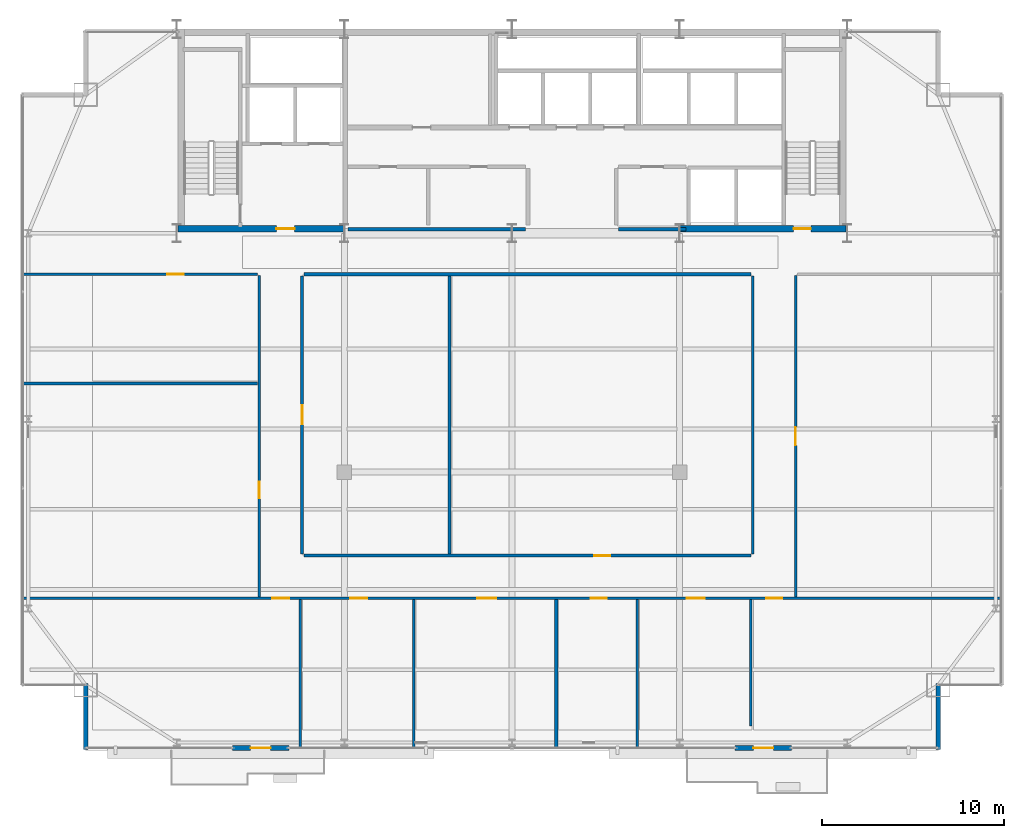
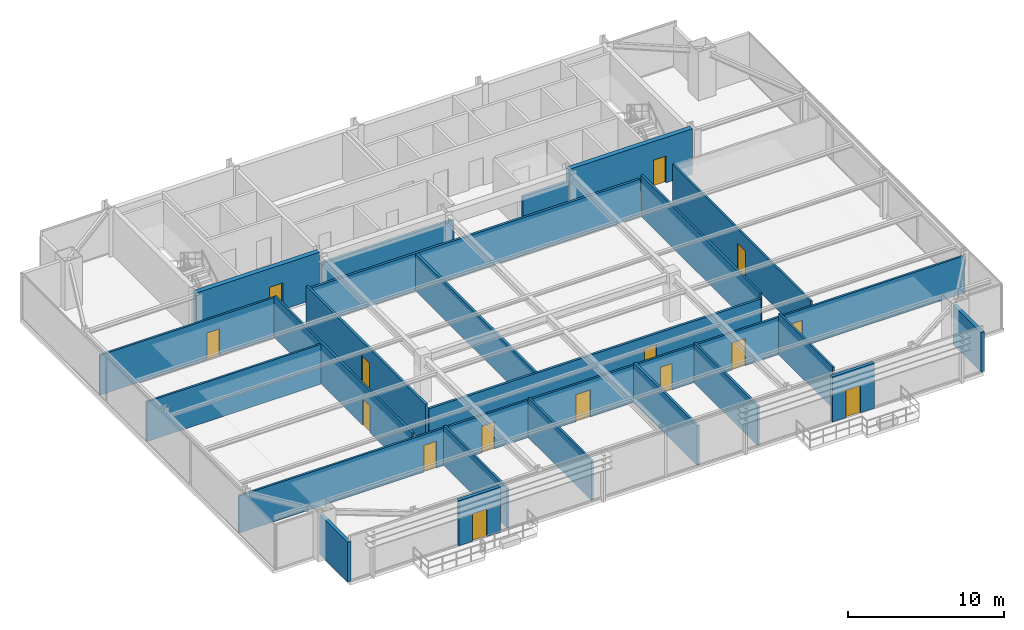
# One storey, part 26 of 30: 23 walls, 15 doors, 15 openings.
"""IFC4 building model written with IfcOpenShell, lengths in metres."""

from ifc_helpers import new_model, si_unit, direction, frame, frame_2d, origin, place, context, subcontext, project, spatial, rectangle, extrude, source, transform, mapped, material, layer, layer_set, type_object, type_shapes, element, fill, save


model = new_model("IFC4")

# Units and contexts
model_context = context("Model", 3, precision=1e-05, world=origin(), true_north=direction((0.0, 1.0)))
body_context = subcontext(model_context, "Body", "Model", "MODEL_VIEW")
ifc_project = project(units=[si_unit("LENGTHUNIT", "METRE"), si_unit("AREAUNIT", "SQUARE_METRE"), si_unit("VOLUMEUNIT", "CUBIC_METRE"), si_unit("PLANEANGLEUNIT", "RADIAN"), si_unit("MASSUNIT", "GRAM", prefix="KILO")], contexts=[model_context])

# Site, building, storey
site_placement = place(None, origin())
site = spatial("IfcSite", under=ifc_project, at=site_placement, CompositionType="ELEMENT")
building_placement = place(site_placement, origin())
building = spatial("IfcBuilding", under=site, at=building_placement, Name="Varnel Quay Broadcast Tower", CompositionType="ELEMENT")
storey_placement = place(building_placement, frame((0.0, 0.0, 168.60009765625)))
storey = spatial("IfcBuildingStorey", under=building, at=storey_placement, Name="L41", CompositionType="ELEMENT", Elevation=168.60009765625)

# Wall, opening, door
ifc_material_1 = material(Name="Concrete CSA A23.3 C50/60", Category="concrete")
ifc_layer_1 = layer(ifc_material_1, 0.35009765625, Name="Concrete CSA A23.3 C50/60")
ifc_layer_set_1 = layer_set([ifc_layer_1], Name="Concrete CSA A23.3 C50/60")
wall_type_1 = type_object("IfcWallType", Name="Wall_CoreShearInt350", PredefinedType="SHEAR", material=ifc_layer_set_1)
wall_1_placement = place(storey_placement, frame((15.669921875, 35.844970703125, 0.0), z_axis=(0.0, 0.0, 1.0), x_axis=(1.0, 0.0, 0.0)))
wall_1 = element("IfcWall", 1, at=wall_1_placement, inside=storey, type_object=wall_type_1, Name="L41 South-West Core Shear Wall", PredefinedType="SHEAR", context=body_context, shape_type="SweptSolid", body=[
    extrude(rectangle(XDim=9.130126953125, YDim=0.35009765625, at=frame_2d((4.56494140625, 0.0))), origin(), (0.0, 0.0, 1.0), 3.5498046875),
])
opening_1_placement = place(wall_1_placement, frame((5.39990234375, 0.0, 0.0)))
opening_1 = element("IfcOpeningElement", 2, at=opening_1_placement, cuts=wall_1, Name="Opening D-L41-FFL", PredefinedType="OPENING", context=body_context, shape_type="SweptSolid", body=[
    extrude(rectangle(XDim=1.0, YDim=2.10009765625, at=frame_2d((0.5, 1.050048828125))), frame((0.0, 0.18505859375, 0.0), z_axis=(0.0, -1.0, 0.0), x_axis=(1.0, 0.0, 0.0)), (0.0, 0.0, 1.0), 0.3701171875),
])
ifc_material_2 = material(Name="Insulated Fire-Rated Hollow Steel Door", Category="steel")
door_type_1 = type_object("IfcDoorType", Name="Door_FireLobby1000", OperationType="NOTDEFINED", PredefinedType="DOOR", material=ifc_material_2)
shared_shape_1 = source(origin(), body_context, "Body", "SweptSolid", [
    extrude(rectangle(XDim=1.0, YDim=2.10009765625, at=frame_2d((0.5, 1.050048828125))), frame((0.0, 0.02490234375, 0.0), z_axis=(0.0, -1.0, 0.0), x_axis=(1.0, 0.0, 0.0)), (0.0, 0.0, 1.0), 0.050048828125),
])
type_shapes(door_type_1, [shared_shape_1])
door_1_placement = place(opening_1_placement, origin())
door_1 = element("IfcDoor", 3, at=door_1_placement, inside=storey, type_object=door_type_1, Name="L41 Firefighting Lobby Door", OperationType="SINGLE_SWING_LEFT", OverallHeight=2.10009765625, OverallWidth=1.0, PredefinedType="DOOR", context=body_context, shape_type="MappedRepresentation", body=[
    mapped(shared_shape_1, transform((0.0, 0.0, 0.0), x_axis=(1.0, 0.0, 0.0), y_axis=(0.0, 1.0, 0.0), z_axis=(0.0, 0.0, 1.0), scale=1.0)),
])
fill(opening_1, door_1)

wall_2_placement = place(storey_placement, frame((43.199951171875, 35.844970703125, 0.0), z_axis=(0.0, 0.0, 1.0), x_axis=(1.0, 0.0, 0.0)))
wall_2 = element("IfcWall", 4, at=wall_2_placement, inside=storey, type_object=wall_type_1, Name="L41 South-East Core Shear Wall", PredefinedType="SHEAR", context=body_context, shape_type="SweptSolid", body=[
    extrude(rectangle(XDim=9.130126953125, YDim=0.35009765625, at=frame_2d((4.56494140625, 0.0))), origin(), (0.0, 0.0, 1.0), 3.5498046875),
])
opening_2_placement = place(wall_2_placement, frame((6.25, 0.0, 0.0)))
opening_2 = element("IfcOpeningElement", 5, at=opening_2_placement, cuts=wall_2, Name="Opening D-L41-S2", PredefinedType="OPENING", context=body_context, shape_type="SweptSolid", body=[
    extrude(rectangle(XDim=0.949951171875, YDim=2.10009765625, at=frame_2d((0.47509765625, 1.050048828125))), frame((0.0, 0.18505859375, 0.0), z_axis=(0.0, -1.0, 0.0), x_axis=(1.0, 0.0, 0.0)), (0.0, 0.0, 1.0), 0.3701171875),
])
door_type_2 = type_object("IfcDoorType", Name="Door_FireStair950", OperationType="NOTDEFINED", PredefinedType="DOOR", material=ifc_material_2)
shared_shape_2 = source(origin(), body_context, "Body", "SweptSolid", [
    extrude(rectangle(XDim=0.949951171875, YDim=2.10009765625, at=frame_2d((0.47509765625, 1.050048828125))), frame((0.0, 0.02490234375, 0.0), z_axis=(0.0, -1.0, 0.0), x_axis=(1.0, 0.0, 0.0)), (0.0, 0.0, 1.0), 0.050048828125),
])
type_shapes(door_type_2, [shared_shape_2])
door_2_placement = place(opening_2_placement, origin())
door_2 = element("IfcDoor", 6, at=door_2_placement, inside=storey, type_object=door_type_2, Name="L41 Stair 2 Fire Door", OperationType="SINGLE_SWING_RIGHT", OverallHeight=2.10009765625, OverallWidth=0.949951171875, PredefinedType="DOOR", context=body_context, shape_type="MappedRepresentation", body=[
    mapped(shared_shape_2, transform((0.0, 0.0, 0.0), x_axis=(1.0, 0.0, 0.0), y_axis=(0.0, 1.0, 0.0), z_axis=(0.0, 0.0, 1.0), scale=1.0)),
])
fill(opening_2, door_2)

ifc_material_3 = material(Name="Precast Architectural Concrete C40/50", Category="concrete")
ifc_layer_2 = layer(ifc_material_3, 0.25, Name="Precast Architectural Concrete C40/50")
ifc_layer_set_2 = layer_set([ifc_layer_2], Name="Precast Architectural Concrete C40/50")
wall_type_2 = type_object("IfcWallType", Name="Wall_ExtTerrace250", PredefinedType="SOLIDWALL", material=ifc_layer_set_2)
wall_3_placement = place(storey_placement, frame((18.64990234375, 7.35009765625, 0.0), z_axis=(0.0, 0.0, 1.0), x_axis=(1.0, 0.0, 0.0)))
wall_3 = element("IfcWall", 7, at=wall_3_placement, inside=storey, type_object=wall_type_2, Name="L41 Terrace Access Wall 1", PredefinedType="SOLIDWALL", context=body_context, shape_type="SweptSolid", body=[
    extrude(rectangle(XDim=3.10009765625, YDim=0.25, at=frame_2d((1.550048828125, 0.0))), origin(), (0.0, 0.0, 1.0), 3.52978515625),
])
opening_3_placement = place(wall_3_placement, frame((1.0, 0.0, 0.0)))
opening_3 = element("IfcOpeningElement", 8, at=opening_3_placement, cuts=wall_3, Name="Opening TD-411", PredefinedType="OPENING", context=body_context, shape_type="SweptSolid", body=[
    extrude(rectangle(XDim=1.10009765625, YDim=2.14990234375, at=frame_2d((0.550048828125, 1.074951171875))), frame((0.0, 0.135009765625, 0.0), z_axis=(0.0, -1.0, 0.0), x_axis=(1.0, 0.0, 0.0)), (0.0, 0.0, 1.0), 0.27001953125),
])
ifc_material_4 = material(Name="Anodised Bronze Aluminium 6063-T6", Category="aluminium")
door_type_3 = type_object("IfcDoorType", Name="Door_ExtTerrace1100", OperationType="NOTDEFINED", PredefinedType="DOOR", material=ifc_material_4)
shared_shape_3 = source(origin(), body_context, "Body", "SweptSolid", [
    extrude(rectangle(XDim=1.10009765625, YDim=2.14990234375, at=frame_2d((0.550048828125, 1.074951171875))), frame((0.0, 0.02490234375, 0.0), z_axis=(0.0, -1.0, 0.0), x_axis=(1.0, 0.0, 0.0)), (0.0, 0.0, 1.0), 0.050048828125),
])
type_shapes(door_type_3, [shared_shape_3])
door_3_placement = place(opening_3_placement, frame((1.10009765625, 0.0, 0.0), z_axis=(0.0, 0.0, 1.0), x_axis=(-1.0, 0.0, 0.0)))
door_3 = element("IfcDoor", 9, at=door_3_placement, inside=storey, type_object=door_type_3, Name="L41 Terrace Door TD-411", OperationType="SINGLE_SWING_LEFT", OverallHeight=2.14990234375, OverallWidth=1.10009765625, PredefinedType="DOOR", context=body_context, shape_type="MappedRepresentation", body=[
    mapped(shared_shape_3, transform((0.0, 0.0, 0.0), x_axis=(1.0, 0.0, 0.0), y_axis=(0.0, 1.0, 0.0), z_axis=(0.0, 0.0, 1.0), scale=1.0)),
])
fill(opening_3, door_3)

wall_4_placement = place(storey_placement, frame((46.25, 7.35009765625, 0.0), z_axis=(0.0, 0.0, 1.0), x_axis=(1.0, 0.0, 0.0)))
wall_4 = element("IfcWall", 10, at=wall_4_placement, inside=storey, type_object=wall_type_2, Name="L41 Terrace Access Wall 2", PredefinedType="SOLIDWALL", context=body_context, shape_type="SweptSolid", body=[
    extrude(rectangle(XDim=3.10009765625, YDim=0.25, at=frame_2d((1.550048828125, 0.0))), origin(), (0.0, 0.0, 1.0), 3.52978515625),
])
opening_4_placement = place(wall_4_placement, frame((1.0, 0.0, 0.0)))
opening_4 = element("IfcOpeningElement", 11, at=opening_4_placement, cuts=wall_4, Name="Opening TD-412", PredefinedType="OPENING", context=body_context, shape_type="SweptSolid", body=[
    extrude(rectangle(XDim=1.10009765625, YDim=2.14990234375, at=frame_2d((0.550048828125, 1.074951171875))), frame((0.0, 0.135009765625, 0.0), z_axis=(0.0, -1.0, 0.0), x_axis=(1.0, 0.0, 0.0)), (0.0, 0.0, 1.0), 0.27001953125),
])
door_4_placement = place(opening_4_placement, frame((1.10009765625, 0.0, 0.0), z_axis=(0.0, 0.0, 1.0), x_axis=(-1.0, 0.0, 0.0)))
door_4 = element("IfcDoor", 12, at=door_4_placement, inside=storey, type_object=door_type_3, Name="L41 Terrace Door TD-412", OperationType="SINGLE_SWING_RIGHT", OverallHeight=2.14990234375, OverallWidth=1.10009765625, PredefinedType="DOOR", context=body_context, shape_type="MappedRepresentation", body=[
    mapped(shared_shape_3, transform((0.0, 0.0, 0.0), x_axis=(1.0, 0.0, 0.0), y_axis=(0.0, 1.0, 0.0), z_axis=(0.0, 0.0, 1.0), scale=1.0)),
])
fill(opening_4, door_4)

# Walls
for number, where, z_axis, x_axis, name in (
    (13, (10.60009765625, 7.280029296875, 0.0), (0.0, 0.0, 1.0), (0.0, 1.0, 0.0), "L41 Mega-Column Notch Cladding Wall NSW2"),
    (14, (57.39990234375, 7.280029296875, 0.0), (0.0, 0.0, 1.0), (0.0, 1.0, 0.0), "L41 Mega-Column Notch Cladding Wall NSE2"),
):
    element("IfcWall", number, at=place(storey_placement, frame(where, z_axis=z_axis, x_axis=x_axis)), inside=storey, type_object=wall_type_2, Name=name, PredefinedType="SOLIDWALL", context=body_context, shape_type="SweptSolid", body=[
        extrude(rectangle(XDim=3.599853515625, YDim=0.25, at=frame_2d((1.7998046875, 0.0))), origin(), (0.0, 0.0, 1.0), 3.10791015625),
    ])
ifc_material_5 = material(Name="Concrete Blockwork Fire Enclosure C40/50", Category="masonry")
ifc_layer_3 = layer(ifc_material_5, 0.199951171875, Name="Concrete Blockwork Fire Enclosure C40/50")
ifc_layer_set_3 = layer_set([ifc_layer_3], Name="Concrete Blockwork Fire Enclosure C40/50")
wall_type_3 = type_object("IfcWallType", Name="Wall_FireShaft200", PredefinedType="SOLIDWALL", material=ifc_layer_set_3)
wall_5_placement = place(storey_placement, frame((39.85009765625, 35.824951171875, 0.0), z_axis=(0.0, 0.0, 1.0), x_axis=(1.0, 0.0, 0.0)))
element("IfcWall", 15, at=wall_5_placement, inside=storey, type_object=wall_type_3, Name="L41 Electrical Sub-Distribution Closet Partition 5", PredefinedType="SOLIDWALL", context=body_context, shape_type="SweptSolid", body=[
    extrude(rectangle(XDim=3.699951171875, YDim=0.199951171875, at=frame_2d((1.85009765625, 0.0))), origin(), (0.0, 0.0, 1.0), 2.574951171875),
])
ifc_material_6 = material(Name="Steel-Stud Fire-Rated Acoustic Gypsum Partition Assembly", Category="steel")
ifc_layer_4 = layer(ifc_material_6, 0.139892578125, Name="Steel-Stud Fire-Rated Acoustic Gypsum Partition Assembly")
ifc_layer_set_4 = layer_set([ifc_layer_4], Name="Steel-Stud Fire-Rated Acoustic Gypsum Partition Assembly")
wall_type_4 = type_object("IfcWallType", Name="Wall_Partition140", PredefinedType="PARTITIONING", material=ifc_layer_set_4)
wall_6_placement = place(storey_placement, frame((47.110107421875, 8.550048828125, 0.0), z_axis=(0.0, 0.0, 1.0), x_axis=(0.0, 1.0, 0.0)))
element("IfcWall", 16, at=wall_6_placement, inside=storey, type_object=wall_type_4, Name="L41 Press Green Lounge 5 Partition 13", PredefinedType="PARTITIONING", context=body_context, shape_type="SweptSolid", body=[
    extrude(rectangle(XDim=6.93505859375, YDim=0.139892578125, at=frame_2d((3.467529296875, 0.0))), origin(), (0.0, 0.0, 1.0), 3.221923828125),
])

# Wall, opening, door
wall_7_placement = place(storey_placement, frame((49.56005859375, 15.635009765625, 0.0), z_axis=(0.0, 0.0, 1.0), x_axis=(0.0, 1.0, 0.0)))
wall_7 = element("IfcWall", 17, at=wall_7_placement, inside=storey, type_object=wall_type_4, Name="L41 Press Green Lounge 11 Partition 23", PredefinedType="PARTITIONING", context=body_context, shape_type="SweptSolid", body=[
    extrude(rectangle(XDim=17.64501953125, YDim=0.139892578125, at=frame_2d((8.822509765625, 0.0))), origin(), (0.0, 0.0, 1.0), 3.221923828125),
])
opening_5_placement = place(wall_7_placement, frame((8.320068359375, 0.0, 0.0)))
opening_5 = element("IfcOpeningElement", 18, at=opening_5_placement, cuts=wall_7, Name="Opening D-L41-14", PredefinedType="OPENING", context=body_context, shape_type="SweptSolid", body=[
    extrude(rectangle(XDim=1.0, YDim=2.10009765625, at=frame_2d((0.5, 1.050048828125))), frame((0.0, 0.080078125, 0.0), z_axis=(0.0, -1.0, 0.0), x_axis=(1.0, 0.0, 0.0)), (0.0, 0.0, 1.0), 0.159912109375),
])
ifc_material_7 = material(Name="Solid-Core Fire-Rated Acoustic Oak Veneer Door", Category="wood")
door_type_4 = type_object("IfcDoorType", Name="Door_Exec1000", OperationType="NOTDEFINED", PredefinedType="DOOR", material=ifc_material_7)
shared_shape_4 = source(origin(), body_context, "Body", "SweptSolid", [
    extrude(rectangle(XDim=1.0, YDim=2.10009765625, at=frame_2d((0.5, 1.050048828125))), frame((0.0, 0.02490234375, 0.0), z_axis=(0.0, -1.0, 0.0), x_axis=(1.0, 0.0, 0.0)), (0.0, 0.0, 1.0), 0.050048828125),
])
type_shapes(door_type_4, [shared_shape_4])
door_5_placement = place(opening_5_placement, frame((1.0, 0.0, 0.0), z_axis=(0.0, 0.0, 1.0), x_axis=(-1.0, 0.0, 0.0)))
door_5 = element("IfcDoor", 19, at=door_5_placement, inside=storey, type_object=door_type_4, Name="L41 Press Green Lounge 11 Door D-L41-14", OperationType="SINGLE_SWING_LEFT", OverallHeight=2.10009765625, OverallWidth=1.0, PredefinedType="DOOR", context=body_context, shape_type="MappedRepresentation", body=[
    mapped(shared_shape_4, transform((0.0, 0.0, 0.0), x_axis=(1.0, 0.0, 0.0), y_axis=(0.0, 1.0, 0.0), z_axis=(0.0, 0.0, 1.0), scale=1.0)),
])
fill(opening_5, door_5)

# Wall
ifc_layer_5 = layer(ifc_material_6, 0.14990234375, Name="Steel-Stud Fire-Rated Acoustic Gypsum Partition Assembly")
ifc_layer_set_5 = layer_set([ifc_layer_5], Name="Steel-Stud Fire-Rated Acoustic Gypsum Partition Assembly")
wall_type_5 = type_object("IfcWallType", Name="Wall_Partition150", PredefinedType="PARTITIONING", material=ifc_layer_set_5)
wall_8_placement = place(storey_placement, frame((22.3798828125, 7.3798828125, 0.0), z_axis=(0.0, 0.0, 1.0), x_axis=(0.0, 1.0, 0.0)))
element("IfcWall", 20, at=wall_8_placement, inside=storey, type_object=wall_type_5, Name="L41 Broadcast Newsroom 1 Partition 8", PredefinedType="PARTITIONING", context=body_context, shape_type="SweptSolid", body=[
    extrude(rectangle(XDim=8.105224609375, YDim=0.14990234375, at=frame_2d((4.052734375, 0.0))), origin(), (0.0, 0.0, 1.0), 3.10791015625),
])

# Wall, openings, doors
wall_9_placement = place(storey_placement, frame((7.179931640625, 15.56005859375, 0.0), z_axis=(0.0, 0.0, 1.0), x_axis=(1.0, 0.0, 0.0)))
wall_9 = element("IfcWall", 21, at=wall_9_placement, inside=storey, type_object=wall_type_5, Name="L41 Broadcast Newsroom 1 Partition 9", PredefinedType="PARTITIONING", context=body_context, shape_type="SweptSolid", body=[
    extrude(rectangle(XDim=53.64013671875, YDim=0.14990234375, at=frame_2d((26.820068359375, 0.0))), origin(), (0.0, 0.0, 1.0), 2.908935546875),
])
opening_6_placement = place(wall_9_placement, frame((13.6650390625, 0.0, 0.0)))
opening_6 = element("IfcOpeningElement", 22, at=opening_6_placement, cuts=wall_9, Name="Opening D-L41-04", PredefinedType="OPENING", context=body_context, shape_type="SweptSolid", body=[
    extrude(rectangle(XDim=0.919921875, YDim=2.080078125, at=frame_2d((0.4599609375, 1.0400390625))), frame((0.0, 0.0849609375, 0.0), z_axis=(0.0, -1.0, 0.0), x_axis=(1.0, 0.0, 0.0)), (0.0, 0.0, 1.0), 0.169921875),
])
opening_7_placement = place(wall_9_placement, frame((17.955078125, 0.0, 0.0)))
opening_7 = element("IfcOpeningElement", 23, at=opening_7_placement, cuts=wall_9, Name="Opening D-L41-05", PredefinedType="OPENING", context=body_context, shape_type="SweptSolid", body=[
    extrude(rectangle(XDim=0.919921875, YDim=2.080078125, at=frame_2d((0.4599609375, 1.0400390625))), frame((0.0, 0.0849609375, 0.0), z_axis=(0.0, -1.0, 0.0), x_axis=(1.0, 0.0, 0.0)), (0.0, 0.0, 1.0), 0.169921875),
])
opening_8_placement = place(wall_9_placement, frame((24.9150390625, 0.0, 0.0)))
opening_8 = element("IfcOpeningElement", 24, at=opening_8_placement, cuts=wall_9, Name="Opening D-L41-06", PredefinedType="OPENING", context=body_context, shape_type="SweptSolid", body=[
    extrude(rectangle(XDim=1.050048828125, YDim=2.10009765625, at=frame_2d((0.52490234375, 1.050048828125))), frame((0.0, 0.0849609375, 0.0), z_axis=(0.0, -1.0, 0.0), x_axis=(1.0, 0.0, 0.0)), (0.0, 0.0, 1.0), 0.169921875),
])
opening_9_placement = place(wall_9_placement, frame((31.1298828125, 0.0, 0.0)))
opening_9 = element("IfcOpeningElement", 25, at=opening_9_placement, cuts=wall_9, Name="Opening D-L41-07", PredefinedType="OPENING", context=body_context, shape_type="SweptSolid", body=[
    extrude(rectangle(XDim=0.8798828125, YDim=2.06005859375, at=frame_2d((0.43994140625, 1.030029296875))), frame((0.0, 0.0849609375, 0.0), z_axis=(0.0, -1.0, 0.0), x_axis=(1.0, 0.0, 0.0)), (0.0, 0.0, 1.0), 0.169921875),
])
opening_10_placement = place(wall_9_placement, frame((36.409912109375, 0.0, 0.0)))
opening_10 = element("IfcOpeningElement", 26, at=opening_10_placement, cuts=wall_9, Name="Opening D-L41-08", PredefinedType="OPENING", context=body_context, shape_type="SweptSolid", body=[
    extrude(rectangle(XDim=1.0, YDim=2.10009765625, at=frame_2d((0.5, 1.050048828125))), frame((0.0, 0.0849609375, 0.0), z_axis=(0.0, -1.0, 0.0), x_axis=(1.0, 0.0, 0.0)), (0.0, 0.0, 1.0), 0.169921875),
])
opening_11_placement = place(wall_9_placement, frame((40.764892578125, 0.0, 0.0)))
opening_11 = element("IfcOpeningElement", 27, at=opening_11_placement, cuts=wall_9, Name="Opening D-L41-09", PredefinedType="OPENING", context=body_context, shape_type="SweptSolid", body=[
    extrude(rectangle(XDim=0.8798828125, YDim=2.06005859375, at=frame_2d((0.43994140625, 1.030029296875))), frame((0.0, 0.0849609375, 0.0), z_axis=(0.0, -1.0, 0.0), x_axis=(1.0, 0.0, 0.0)), (0.0, 0.0, 1.0), 0.169921875),
])
door_type_5 = type_object("IfcDoorType", Name="Door_Booth880", OperationType="NOTDEFINED", PredefinedType="DOOR", material=ifc_material_7)
shared_shape_5 = source(origin(), body_context, "Body", "SweptSolid", [
    extrude(rectangle(XDim=0.8798828125, YDim=2.06005859375, at=frame_2d((0.43994140625, 1.030029296875))), frame((0.0, 0.02490234375, 0.0), z_axis=(0.0, -1.0, 0.0), x_axis=(1.0, 0.0, 0.0)), (0.0, 0.0, 1.0), 0.050048828125),
])
type_shapes(door_type_5, [shared_shape_5])
door_6_placement = place(opening_9_placement, frame((0.8798828125, 0.0, 0.0), z_axis=(0.0, 0.0, 1.0), x_axis=(-1.0, 0.0, 0.0)))
door_6 = element("IfcDoor", 28, at=door_6_placement, inside=storey, type_object=door_type_5, Name="L41 Break Kitchen 4 Door D-L41-07", OperationType="SINGLE_SWING_RIGHT", OverallHeight=2.06005859375, OverallWidth=0.8798828125, PredefinedType="DOOR", context=body_context, shape_type="MappedRepresentation", body=[
    mapped(shared_shape_5, transform((0.0, 0.0, 0.0), x_axis=(1.0, 0.0, 0.0), y_axis=(0.0, 1.0, 0.0), z_axis=(0.0, 0.0, 1.0), scale=1.0)),
])
fill(opening_9, door_6)
door_7_placement = place(opening_11_placement, frame((0.8798828125, 0.0, 0.0), z_axis=(0.0, 0.0, 1.0), x_axis=(-1.0, 0.0, 0.0)))
door_7 = element("IfcDoor", 29, at=door_7_placement, inside=storey, type_object=door_type_5, Name="L41 Camera Locker Store 6 Door D-L41-09", OperationType="SINGLE_SWING_RIGHT", OverallHeight=2.06005859375, OverallWidth=0.8798828125, PredefinedType="DOOR", context=body_context, shape_type="MappedRepresentation", body=[
    mapped(shared_shape_5, transform((0.0, 0.0, 0.0), x_axis=(1.0, 0.0, 0.0), y_axis=(0.0, 1.0, 0.0), z_axis=(0.0, 0.0, 1.0), scale=1.0)),
])
fill(opening_11, door_7)
door_type_6 = type_object("IfcDoorType", Name="Door_Office920", OperationType="NOTDEFINED", PredefinedType="DOOR", material=ifc_material_7)
shared_shape_6 = source(origin(), body_context, "Body", "SweptSolid", [
    extrude(rectangle(XDim=0.919921875, YDim=2.080078125, at=frame_2d((0.4599609375, 1.0400390625))), frame((0.0, 0.02490234375, 0.0), z_axis=(0.0, -1.0, 0.0), x_axis=(1.0, 0.0, 0.0)), (0.0, 0.0, 1.0), 0.050048828125),
])
type_shapes(door_type_6, [shared_shape_6])
door_8_placement = place(opening_6_placement, frame((0.919921875, 0.0, 0.0), z_axis=(0.0, 0.0, 1.0), x_axis=(-1.0, 0.0, 0.0)))
door_8 = element("IfcDoor", 30, at=door_8_placement, inside=storey, type_object=door_type_6, Name="L41 Broadcast Newsroom 1 Door D-L41-04", OperationType="SINGLE_SWING_LEFT", OverallHeight=2.080078125, OverallWidth=0.919921875, PredefinedType="DOOR", context=body_context, shape_type="MappedRepresentation", body=[
    mapped(shared_shape_6, transform((0.0, 0.0, 0.0), x_axis=(1.0, 0.0, 0.0), y_axis=(0.0, 1.0, 0.0), z_axis=(0.0, 0.0, 1.0), scale=1.0)),
])
fill(opening_6, door_8)
door_9_placement = place(opening_7_placement, frame((0.919921875, 0.0, 0.0), z_axis=(0.0, 0.0, 1.0), x_axis=(-1.0, 0.0, 0.0)))
door_9 = element("IfcDoor", 31, at=door_9_placement, inside=storey, type_object=door_type_6, Name="L41 Assignment Desk 2 Door D-L41-05", OperationType="SINGLE_SWING_RIGHT", OverallHeight=2.080078125, OverallWidth=0.919921875, PredefinedType="DOOR", context=body_context, shape_type="MappedRepresentation", body=[
    mapped(shared_shape_6, transform((0.0, 0.0, 0.0), x_axis=(1.0, 0.0, 0.0), y_axis=(0.0, 1.0, 0.0), z_axis=(0.0, 0.0, 1.0), scale=1.0)),
])
fill(opening_7, door_9)
door_10_placement = place(opening_10_placement, frame((1.0, 0.0, 0.0), z_axis=(0.0, 0.0, 1.0), x_axis=(-1.0, 0.0, 0.0)))
door_10 = element("IfcDoor", 32, at=door_10_placement, inside=storey, type_object=door_type_4, Name="L41 Press Green Lounge 5 Door D-L41-08", OperationType="SINGLE_SWING_LEFT", OverallHeight=2.10009765625, OverallWidth=1.0, PredefinedType="DOOR", context=body_context, shape_type="MappedRepresentation", body=[
    mapped(shared_shape_4, transform((0.0, 0.0, 0.0), x_axis=(1.0, 0.0, 0.0), y_axis=(0.0, 1.0, 0.0), z_axis=(0.0, 0.0, 1.0), scale=1.0)),
])
fill(opening_10, door_10)
door_type_7 = type_object("IfcDoorType", Name="Door_Meeting1050", OperationType="NOTDEFINED", PredefinedType="DOOR", material=ifc_material_7)
shared_shape_7 = source(origin(), body_context, "Body", "SweptSolid", [
    extrude(rectangle(XDim=1.050048828125, YDim=2.10009765625, at=frame_2d((0.52490234375, 1.050048828125))), frame((0.0, 0.02490234375, 0.0), z_axis=(0.0, -1.0, 0.0), x_axis=(1.0, 0.0, 0.0)), (0.0, 0.0, 1.0), 0.050048828125),
])
type_shapes(door_type_7, [shared_shape_7])
door_11_placement = place(opening_8_placement, frame((1.050048828125, 0.0, 0.0), z_axis=(0.0, 0.0, 1.0), x_axis=(-1.0, 0.0, 0.0)))
door_11 = element("IfcDoor", 33, at=door_11_placement, inside=storey, type_object=door_type_7, Name="L41 Editorial Boardroom 3 Door D-L41-06", OperationType="SINGLE_SWING_LEFT", OverallHeight=2.10009765625, OverallWidth=1.050048828125, PredefinedType="DOOR", context=body_context, shape_type="MappedRepresentation", body=[
    mapped(shared_shape_7, transform((0.0, 0.0, 0.0), x_axis=(1.0, 0.0, 0.0), y_axis=(0.0, 1.0, 0.0), z_axis=(0.0, 0.0, 1.0), scale=1.0)),
])
fill(opening_8, door_11)

# Walls
for number, where, z_axis, x_axis, name in (
    (34, (28.610107421875, 7.3798828125, 0.0), (0.0, 0.0, 1.0), (0.0, 1.0, 0.0), "L41 Assignment Desk 2 Partition 10"),
    (35, (40.8701171875, 7.3798828125, 0.0), (0.0, 0.0, 1.0), (0.0, 1.0, 0.0), "L41 Break Kitchen 4 Partition 12"),
):
    element("IfcWall", number, at=place(storey_placement, frame(where, z_axis=z_axis, x_axis=x_axis)), inside=storey, type_object=wall_type_5, Name=name, PredefinedType="PARTITIONING", context=body_context, shape_type="SweptSolid", body=[
        extrude(rectangle(XDim=8.105224609375, YDim=0.14990234375, at=frame_2d((4.052734375, 0.0))), origin(), (0.0, 0.0, 1.0), 3.10791015625),
    ])

# Wall, opening, door
wall_10_placement = place(storey_placement, frame((20.1298828125, 15.635009765625, 0.0), z_axis=(0.0, 0.0, 1.0), x_axis=(0.0, 1.0, 0.0)))
wall_10 = element("IfcWall", 36, at=wall_10_placement, inside=storey, type_object=wall_type_5, Name="L41 Broadcast Newsroom 7 Partition 14", PredefinedType="PARTITIONING", context=body_context, shape_type="SweptSolid", body=[
    extrude(rectangle(XDim=17.639892578125, YDim=0.14990234375, at=frame_2d((8.81982421875, 0.0))), origin(), (0.0, 0.0, 1.0), 3.221923828125),
])
opening_12_placement = place(wall_10_placement, frame((5.409912109375, 0.0, 0.0)))
opening_12 = element("IfcOpeningElement", 37, at=opening_12_placement, cuts=wall_10, Name="Opening D-L41-10", PredefinedType="OPENING", context=body_context, shape_type="SweptSolid", body=[
    extrude(rectangle(XDim=0.919921875, YDim=2.080078125, at=frame_2d((0.4599609375, 1.0400390625))), frame((0.0, 0.0849609375, 0.0), z_axis=(0.0, -1.0, 0.0), x_axis=(1.0, 0.0, 0.0)), (0.0, 0.0, 1.0), 0.169921875),
])
door_12_placement = place(opening_12_placement, origin())
door_12 = element("IfcDoor", 38, at=door_12_placement, inside=storey, type_object=door_type_6, Name="L41 Broadcast Newsroom 7 Door D-L41-10", OperationType="SINGLE_SWING_LEFT", OverallHeight=2.080078125, OverallWidth=0.919921875, PredefinedType="DOOR", context=body_context, shape_type="MappedRepresentation", body=[
    mapped(shared_shape_6, transform((0.0, 0.0, 0.0), x_axis=(1.0, 0.0, 0.0), y_axis=(0.0, 1.0, 0.0), z_axis=(0.0, 0.0, 1.0), scale=1.0)),
])
fill(opening_12, door_12)

# Wall
wall_11_placement = place(storey_placement, frame((7.179931640625, 27.35009765625, 0.0), z_axis=(0.0, 0.0, 1.0), x_axis=(1.0, 0.0, 0.0)))
element("IfcWall", 39, at=wall_11_placement, inside=storey, type_object=wall_type_5, Name="L41 Broadcast Newsroom 7 Partition 15", PredefinedType="PARTITIONING", context=body_context, shape_type="SweptSolid", body=[
    extrude(rectangle(XDim=12.85009765625, YDim=0.14990234375, at=frame_2d((6.425048828125, 0.0))), origin(), (0.0, 0.0, 1.0), 3.10791015625),
])

# Wall, opening, door
wall_12_placement = place(storey_placement, frame((7.179931640625, 33.35009765625, 0.0), z_axis=(0.0, 0.0, 1.0), x_axis=(1.0, 0.0, 0.0)))
wall_12 = element("IfcWall", 40, at=wall_12_placement, inside=storey, type_object=wall_type_5, Name="L41 Assignment Desk 8 Partition 16", PredefinedType="PARTITIONING", context=body_context, shape_type="SweptSolid", body=[
    extrude(rectangle(XDim=12.85009765625, YDim=0.14990234375, at=frame_2d((6.425048828125, 0.0))), origin(), (0.0, 0.0, 1.0), 3.10791015625),
])
opening_13_placement = place(wall_12_placement, frame((7.89990234375, 0.0, 0.0)))
opening_13 = element("IfcOpeningElement", 41, at=opening_13_placement, cuts=wall_12, Name="Opening D-L41-11", PredefinedType="OPENING", context=body_context, shape_type="SweptSolid", body=[
    extrude(rectangle(XDim=0.919921875, YDim=2.080078125, at=frame_2d((0.4599609375, 1.0400390625))), frame((0.0, 0.0849609375, 0.0), z_axis=(0.0, -1.0, 0.0), x_axis=(1.0, 0.0, 0.0)), (0.0, 0.0, 1.0), 0.169921875),
])
door_13_placement = place(opening_13_placement, frame((0.919921875, 0.0, 0.0), z_axis=(0.0, 0.0, 1.0), x_axis=(-1.0, 0.0, 0.0)))
door_13 = element("IfcDoor", 42, at=door_13_placement, inside=storey, type_object=door_type_6, Name="L41 Assignment Desk 8 Door D-L41-11", OperationType="SINGLE_SWING_RIGHT", OverallHeight=2.080078125, OverallWidth=0.919921875, PredefinedType="DOOR", context=body_context, shape_type="MappedRepresentation", body=[
    mapped(shared_shape_6, transform((0.0, 0.0, 0.0), x_axis=(1.0, 0.0, 0.0), y_axis=(0.0, 1.0, 0.0), z_axis=(0.0, 0.0, 1.0), scale=1.0)),
])
fill(opening_13, door_13)

# Walls
wall_13_placement = place(storey_placement, frame((47.2099609375, 17.9970703125, 0.0), z_axis=(0.0, 0.0, 1.0), x_axis=(0.0, 1.0, 0.0)))
element("IfcWall", 43, at=wall_13_placement, inside=storey, type_object=wall_type_5, Name="L41 Break Kitchen 10 Partition 21", PredefinedType="PARTITIONING", context=body_context, shape_type="SweptSolid", body=[
    extrude(rectangle(XDim=15.265869140625, YDim=0.14990234375, at=frame_2d((7.6328125, 0.0))), origin(), (0.0, 0.0, 1.0), 3.221923828125),
])
ifc_layer_6 = layer(ifc_material_6, 0.175048828125, Name="Steel-Stud Fire-Rated Acoustic Gypsum Partition Assembly")
ifc_layer_set_6 = layer_set([ifc_layer_6], Name="Steel-Stud Fire-Rated Acoustic Gypsum Partition Assembly")
wall_type_6 = type_object("IfcWallType", Name="Wall_Partition175", PredefinedType="PARTITIONING", material=ifc_layer_set_6)
wall_14_placement = place(storey_placement, frame((36.429931640625, 7.3798828125, 0.0), z_axis=(0.0, 0.0, 1.0), x_axis=(0.0, 1.0, 0.0)))
element("IfcWall", 44, at=wall_14_placement, inside=storey, type_object=wall_type_6, Name="L41 Editorial Boardroom 3 Partition 11", PredefinedType="PARTITIONING", context=body_context, shape_type="SweptSolid", body=[
    extrude(rectangle(XDim=8.105224609375, YDim=0.175048828125, at=frame_2d((4.052734375, 0.0))), origin(), (0.0, 0.0, 1.0), 3.10791015625),
])

# Wall, opening, door
wall_15_placement = place(storey_placement, frame((22.580078125, 17.909912109375, 0.0), z_axis=(0.0, 0.0, 1.0), x_axis=(1.0, 0.0, 0.0)))
wall_15 = element("IfcWall", 45, at=wall_15_placement, inside=storey, type_object=wall_type_6, Name="L41 Editorial Boardroom 9 Partition 17", PredefinedType="PARTITIONING", context=body_context, shape_type="SweptSolid", body=[
    extrude(rectangle(XDim=24.530029296875, YDim=0.175048828125, at=frame_2d((12.26513671875, 0.0))), origin(), (0.0, 0.0, 1.0), 2.908935546875),
])
opening_14_placement = place(wall_15_placement, frame((15.919921875, 0.0, 0.0)))
opening_14 = element("IfcOpeningElement", 46, at=opening_14_placement, cuts=wall_15, Name="Opening D-L41-13", PredefinedType="OPENING", context=body_context, shape_type="SweptSolid", body=[
    extrude(rectangle(XDim=0.8798828125, YDim=2.06005859375, at=frame_2d((0.43994140625, 1.030029296875))), frame((0.0, 0.09765625, 0.0), z_axis=(0.0, -1.0, 0.0), x_axis=(1.0, 0.0, 0.0)), (0.0, 0.0, 1.0), 0.195068359375),
])
door_14_placement = place(opening_14_placement, origin())
door_14 = element("IfcDoor", 47, at=door_14_placement, inside=storey, type_object=door_type_5, Name="L41 Break Kitchen 10 Door D-L41-13", OperationType="SINGLE_SWING_RIGHT", OverallHeight=2.06005859375, OverallWidth=0.8798828125, PredefinedType="DOOR", context=body_context, shape_type="MappedRepresentation", body=[
    mapped(shared_shape_5, transform((0.0, 0.0, 0.0), x_axis=(1.0, 0.0, 0.0), y_axis=(0.0, 1.0, 0.0), z_axis=(0.0, 0.0, 1.0), scale=1.0)),
])
fill(opening_14, door_14)

# Walls
wall_16_placement = place(storey_placement, frame((30.570068359375, 17.9970703125, 0.0), z_axis=(0.0, 0.0, 1.0), x_axis=(0.0, 1.0, 0.0)))
element("IfcWall", 48, at=wall_16_placement, inside=storey, type_object=wall_type_6, Name="L41 Editorial Boardroom 9 Partition 18", PredefinedType="PARTITIONING", context=body_context, shape_type="SweptSolid", body=[
    extrude(rectangle(XDim=15.265869140625, YDim=0.175048828125, at=frame_2d((7.6328125, 0.0))), origin(), (0.0, 0.0, 1.0), 2.908935546875),
])
wall_17_placement = place(storey_placement, frame((22.580078125, 33.35009765625, 0.0), z_axis=(0.0, 0.0, 1.0), x_axis=(1.0, 0.0, 0.0)))
element("IfcWall", 49, at=wall_17_placement, inside=storey, type_object=wall_type_6, Name="L41 Editorial Boardroom 9 Partition 19", PredefinedType="PARTITIONING", context=body_context, shape_type="SweptSolid", body=[
    extrude(rectangle(XDim=24.530029296875, YDim=0.175048828125, at=frame_2d((12.26513671875, 0.0))), origin(), (0.0, 0.0, 1.0), 2.908935546875),
])

# Wall, opening, door
wall_18_placement = place(storey_placement, frame((22.47998046875, 17.9970703125, 0.0), z_axis=(0.0, 0.0, 1.0), x_axis=(0.0, 1.0, 0.0)))
wall_18 = element("IfcWall", 50, at=wall_18_placement, inside=storey, type_object=wall_type_6, Name="L41 Editorial Boardroom 9 Partition 20", PredefinedType="PARTITIONING", context=body_context, shape_type="SweptSolid", body=[
    extrude(rectangle(XDim=15.265869140625, YDim=0.175048828125, at=frame_2d((7.6328125, 0.0))), origin(), (0.0, 0.0, 1.0), 3.221923828125),
])
opening_15_placement = place(wall_18_placement, frame((7.10791015625, 0.0, 0.0)))
opening_15 = element("IfcOpeningElement", 51, at=opening_15_placement, cuts=wall_18, Name="Opening D-L41-12", PredefinedType="OPENING", context=body_context, shape_type="SweptSolid", body=[
    extrude(rectangle(XDim=1.050048828125, YDim=2.10009765625, at=frame_2d((0.52490234375, 1.050048828125))), frame((0.0, 0.09765625, 0.0), z_axis=(0.0, -1.0, 0.0), x_axis=(1.0, 0.0, 0.0)), (0.0, 0.0, 1.0), 0.195068359375),
])
door_15_placement = place(opening_15_placement, frame((1.050048828125, 0.0, 0.0), z_axis=(0.0, 0.0, 1.0), x_axis=(-1.0, 0.0, 0.0)))
door_15 = element("IfcDoor", 52, at=door_15_placement, inside=storey, type_object=door_type_7, Name="L41 Editorial Boardroom 9 Door D-L41-12", OperationType="SINGLE_SWING_LEFT", OverallHeight=2.10009765625, OverallWidth=1.050048828125, PredefinedType="DOOR", context=body_context, shape_type="MappedRepresentation", body=[
    mapped(shared_shape_7, transform((0.0, 0.0, 0.0), x_axis=(1.0, 0.0, 0.0), y_axis=(0.0, 1.0, 0.0), z_axis=(0.0, 0.0, 1.0), scale=1.0)),
])
fill(opening_15, door_15)

# Wall
ifc_material_8 = material(Name="Fire-Rated Moisture-Resistant Plumbing Chase Partition")
ifc_layer_7 = layer(ifc_material_8, 0.199951171875, Name="Fire-Rated Moisture-Resistant Plumbing Chase Partition")
ifc_layer_set_7 = layer_set([ifc_layer_7], Name="Fire-Rated Moisture-Resistant Plumbing Chase Partition")
wall_type_7 = type_object("IfcWallType", Name="Wall_Plumbing200", PredefinedType="PLUMBINGWALL", material=ifc_layer_set_7)
wall_19_placement = place(storey_placement, frame((25.0, 35.824951171875, 0.0), z_axis=(0.0, 0.0, 1.0), x_axis=(1.0, 0.0, 0.0)))
element("IfcWall", 53, at=wall_19_placement, inside=storey, type_object=wall_type_7, Name="L41 Accessible Washroom Partition 1", PredefinedType="PLUMBINGWALL", context=body_context, shape_type="SweptSolid", body=[
    extrude(rectangle(XDim=9.75, YDim=0.199951171875, at=frame_2d((4.875, 0.0))), origin(), (0.0, 0.0, 1.0), 2.574951171875),
])

save(model, "model.ifc")
